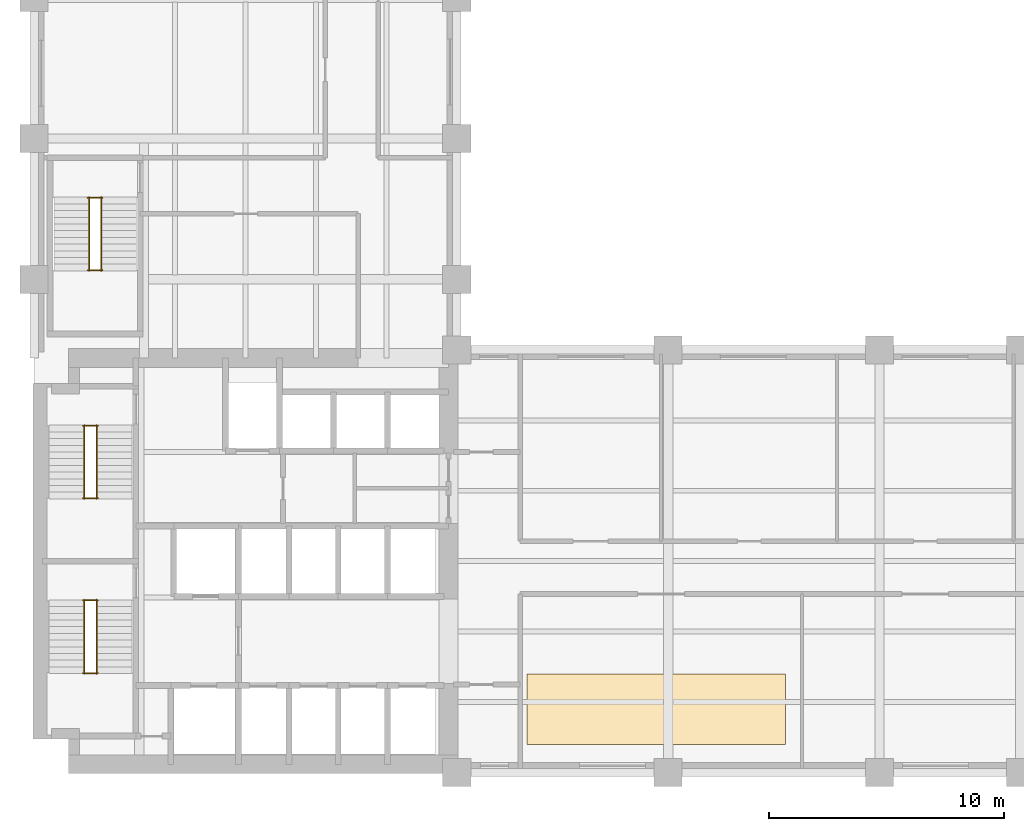
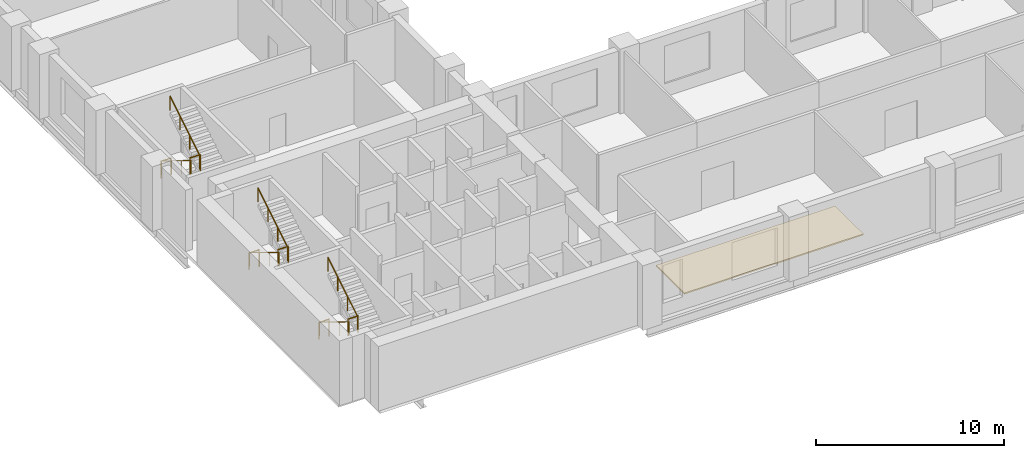
# One storey, part 7 of 7: 12 railings, 1 covering.
"""IFC4 building model written with IfcOpenShell, lengths in metres."""

from ifc_helpers import new_model, si_unit, direction, frame, origin, origin_2d, place, context, subcontext, project, spatial, polyline, circle, outline, extrude, material, layer, layer_set, type_object, element, save


model = new_model("IFC4")

# Units and contexts
model_context = context("Model", 3, precision=1e-05, world=origin(), true_north=direction((0.0, 1.0)))
body_context = subcontext(model_context, "Body", "Model", "MODEL_VIEW")
ifc_project = project(units=[si_unit("LENGTHUNIT", "METRE"), si_unit("AREAUNIT", "SQUARE_METRE"), si_unit("VOLUMEUNIT", "CUBIC_METRE"), si_unit("PLANEANGLEUNIT", "RADIAN"), si_unit("MASSUNIT", "GRAM", prefix="KILO")], contexts=[model_context])

# Site, building, storey
site_placement = place(None, origin())
site = spatial("IfcSite", under=ifc_project, at=site_placement, CompositionType="ELEMENT")
building_placement = place(site_placement, origin())
building = spatial("IfcBuilding", under=site, at=building_placement, Name="Mawjdan Bourse Tower", CompositionType="ELEMENT")
storey_placement = place(building_placement, frame((0.0, 0.0, 59.39990234375)))
storey = spatial("IfcBuildingStorey", under=building, at=storey_placement, Name="L13", CompositionType="ELEMENT", Elevation=59.39990234375)

# Covering
ifc_material_1 = material(Name="Calcium Sulphate Antistatic Raised Floor Tile")
ifc_layer = layer(ifc_material_1, 0.080078125)
ifc_layer_set = layer_set([ifc_layer], Name="Calcium Sulphate Antistatic Raised Floor Tile")
covering_type = type_object("IfcCoveringType", Name="COV-FLR-450", PredefinedType="FLOORING", material=ifc_layer_set)
covering_placement = place(storey_placement, origin())
element("IfcCovering", 1, at=covering_placement, inside=storey, type_object=covering_type, Name="L13 Antistatic Raised Access Trading Floor", PredefinedType="FLOORING", context=body_context, shape_type="SweptSolid", body=[
    extrude(outline(polyline([(27.0, 4.199951171875), (38.0, 4.199951171875), (38.0, 7.199951171875), (27.0, 7.199951171875), (27.0, 4.199951171875)])), origin(), (0.0, 0.0, 1.0), 0.080078125),
])

# Railings
ifc_material_2 = material(Name="Structural Steel S355", Category="steel")
railing_type_1 = type_object("IfcRailingType", Name="RLG-GRD-1100", PredefinedType="GUARDRAIL", material=ifc_material_2)
for number, where, name in (
    (2, (8.090087890625, 7.235107421875, 2.10009765625), "L13 ST1 Landing Guardrail GL-MID"),
    (3, (8.090087890625, 10.330078125, 0.0), "L13 ST1 Landing Guardrail GL-BOT"),
    (4, (8.090087890625, 14.675048828125, 2.10009765625), "L13 ST2 Landing Guardrail GL-MID"),
    (5, (8.090087890625, 17.77001953125, 0.0), "L13 ST2 Landing Guardrail GL-BOT"),
    (6, (8.2900390625, 24.385009765625, 2.10009765625), "L13 ST3 Landing Guardrail GL-MID"),
    (7, (8.2900390625, 27.47998046875, 0.0), "L13 ST3 Landing Guardrail GL-BOT"),
):
    element("IfcRailing", number, at=place(storey_placement, frame(where)), inside=storey, type_object=railing_type_1, Name=name, PredefinedType="GUARDRAIL", context=body_context, shape_type="SweptSolid", body=[
        extrude(circle(Radius=0.02490234375, at=origin_2d()), frame((0.0, 0.0, 1.0751953125), z_axis=(1.0, 0.0, 0.0), x_axis=(0.0, 1.0, 0.0)), (0.0, 0.0, 1.0), 0.619873046875),
        extrude(circle(Radius=0.02099609375, at=origin_2d()), origin(), (0.0, 0.0, 1.0), 1.050048828125),
        extrude(circle(Radius=0.02099609375, at=origin_2d()), frame((0.619873046875, 0.0, 0.0)), (0.0, 0.0, 1.0), 1.050048828125),
    ])
ifc_material_3 = material(Name="Brushed Stainless Steel", Category="steel")
railing_type_2 = type_object("IfcRailingType", Name="RLG-HND-920", PredefinedType="HANDRAIL", material=ifc_material_3)
railing_1_placement = place(storey_placement, frame((8.139892578125, 10.35009765625, 0.175048828125)))
element("IfcRailing", 8, at=railing_1_placement, inside=storey, type_object=railing_type_2, Name="L13 ST1 Flight Handrail HR1", PredefinedType="HANDRAIL", context=body_context, shape_type="SweptSolid", body=[
    extrude(circle(Radius=0.0224609375, at=origin_2d()), frame((0.0, 0.0, 0.8974609375), z_axis=(0.0, -0.852166034122, 0.523271488128), x_axis=(1.0, 0.0, 0.0)), (0.0, 0.0, 1.0), 3.678955078125),
    extrude(circle(Radius=0.01904296875, at=origin_2d()), origin(), (0.0, 0.0, 1.0), 0.875),
    extrude(circle(Radius=0.01904296875, at=origin_2d()), frame((0.0, -1.044921875, 0.6416015625)), (0.0, 0.0, 1.0), 0.875),
    extrude(circle(Radius=0.01904296875, at=origin_2d()), frame((0.0, -2.090087890625, 1.283447265625)), (0.0, 0.0, 1.0), 0.875),
    extrude(circle(Radius=0.01904296875, at=origin_2d()), frame((0.0, -3.135009765625, 1.925048828125)), (0.0, 0.0, 1.0), 0.875),
])
railing_2_placement = place(storey_placement, frame((8.659912109375, 7.215087890625, 2.275146484375)))
element("IfcRailing", 9, at=railing_2_placement, inside=storey, type_object=railing_type_2, Name="L13 ST1 Flight Handrail HR2", PredefinedType="HANDRAIL", context=body_context, shape_type="SweptSolid", body=[
    extrude(circle(Radius=0.0224609375, at=origin_2d()), frame((0.0, 0.0, 0.8974609375), z_axis=(0.0, 0.852166034122, 0.523271488128), x_axis=(-1.0, 0.0, 0.0)), (0.0, 0.0, 1.0), 3.678955078125),
    extrude(circle(Radius=0.01904296875, at=origin_2d()), origin(), (0.0, 0.0, 1.0), 0.875),
    extrude(circle(Radius=0.01904296875, at=origin_2d()), frame((0.0, 1.044921875, 0.6416015625)), (0.0, 0.0, 1.0), 0.875),
    extrude(circle(Radius=0.01904296875, at=origin_2d()), frame((0.0, 2.090087890625, 1.283447265625)), (0.0, 0.0, 1.0), 0.875),
    extrude(circle(Radius=0.01904296875, at=origin_2d()), frame((0.0, 3.135009765625, 1.925048828125)), (0.0, 0.0, 1.0), 0.875),
])
railing_3_placement = place(storey_placement, frame((8.139892578125, 17.7900390625, 0.175048828125)))
element("IfcRailing", 10, at=railing_3_placement, inside=storey, type_object=railing_type_2, Name="L13 ST2 Flight Handrail HR1", PredefinedType="HANDRAIL", context=body_context, shape_type="SweptSolid", body=[
    extrude(circle(Radius=0.0224609375, at=origin_2d()), frame((0.0, 0.0, 0.8974609375), z_axis=(0.0, -0.852166034122, 0.523271488128), x_axis=(1.0, 0.0, 0.0)), (0.0, 0.0, 1.0), 3.678955078125),
    extrude(circle(Radius=0.01904296875, at=origin_2d()), origin(), (0.0, 0.0, 1.0), 0.875),
    extrude(circle(Radius=0.01904296875, at=origin_2d()), frame((0.0, -1.044921875, 0.6416015625)), (0.0, 0.0, 1.0), 0.875),
    extrude(circle(Radius=0.01904296875, at=origin_2d()), frame((0.0, -2.090087890625, 1.283447265625)), (0.0, 0.0, 1.0), 0.875),
    extrude(circle(Radius=0.01904296875, at=origin_2d()), frame((0.0, -3.135009765625, 1.925048828125)), (0.0, 0.0, 1.0), 0.875),
])
railing_4_placement = place(storey_placement, frame((8.659912109375, 14.655029296875, 2.275146484375)))
element("IfcRailing", 11, at=railing_4_placement, inside=storey, type_object=railing_type_2, Name="L13 ST2 Flight Handrail HR2", PredefinedType="HANDRAIL", context=body_context, shape_type="SweptSolid", body=[
    extrude(circle(Radius=0.0224609375, at=origin_2d()), frame((0.0, 0.0, 0.8974609375), z_axis=(0.0, 0.852166034122, 0.523271488128), x_axis=(-1.0, 0.0, 0.0)), (0.0, 0.0, 1.0), 3.678955078125),
    extrude(circle(Radius=0.01904296875, at=origin_2d()), origin(), (0.0, 0.0, 1.0), 0.875),
    extrude(circle(Radius=0.01904296875, at=origin_2d()), frame((0.0, 1.044921875, 0.6416015625)), (0.0, 0.0, 1.0), 0.875),
    extrude(circle(Radius=0.01904296875, at=origin_2d()), frame((0.0, 2.090087890625, 1.283447265625)), (0.0, 0.0, 1.0), 0.875),
    extrude(circle(Radius=0.01904296875, at=origin_2d()), frame((0.0, 3.135009765625, 1.925048828125)), (0.0, 0.0, 1.0), 0.875),
])
railing_5_placement = place(storey_placement, frame((8.340087890625, 27.5, 0.175048828125)))
element("IfcRailing", 12, at=railing_5_placement, inside=storey, type_object=railing_type_2, Name="L13 ST3 Flight Handrail HR1", PredefinedType="HANDRAIL", context=body_context, shape_type="SweptSolid", body=[
    extrude(circle(Radius=0.0224609375, at=origin_2d()), frame((0.0, 0.0, 0.8974609375), z_axis=(0.0, -0.852166034122, 0.523271488128), x_axis=(1.0, 0.0, 0.0)), (0.0, 0.0, 1.0), 3.678955078125),
    extrude(circle(Radius=0.01904296875, at=origin_2d()), origin(), (0.0, 0.0, 1.0), 0.875),
    extrude(circle(Radius=0.01904296875, at=origin_2d()), frame((0.0, -1.044921875, 0.6416015625)), (0.0, 0.0, 1.0), 0.875),
    extrude(circle(Radius=0.01904296875, at=origin_2d()), frame((0.0, -2.090087890625, 1.283447265625)), (0.0, 0.0, 1.0), 0.875),
    extrude(circle(Radius=0.01904296875, at=origin_2d()), frame((0.0, -3.135009765625, 1.925048828125)), (0.0, 0.0, 1.0), 0.875),
])
railing_6_placement = place(storey_placement, frame((8.860107421875, 24.364990234375, 2.275146484375)))
element("IfcRailing", 13, at=railing_6_placement, inside=storey, type_object=railing_type_2, Name="L13 ST3 Flight Handrail HR2", PredefinedType="HANDRAIL", context=body_context, shape_type="SweptSolid", body=[
    extrude(circle(Radius=0.0224609375, at=origin_2d()), frame((0.0, 0.0, 0.8974609375), z_axis=(0.0, 0.852166034122, 0.523271488128), x_axis=(-1.0, 0.0, 0.0)), (0.0, 0.0, 1.0), 3.678955078125),
    extrude(circle(Radius=0.01904296875, at=origin_2d()), origin(), (0.0, 0.0, 1.0), 0.875),
    extrude(circle(Radius=0.01904296875, at=origin_2d()), frame((0.0, 1.044921875, 0.6416015625)), (0.0, 0.0, 1.0), 0.875),
    extrude(circle(Radius=0.01904296875, at=origin_2d()), frame((0.0, 2.090087890625, 1.283447265625)), (0.0, 0.0, 1.0), 0.875),
    extrude(circle(Radius=0.01904296875, at=origin_2d()), frame((0.0, 3.135009765625, 1.925048828125)), (0.0, 0.0, 1.0), 0.875),
])

save(model, "model.ifc")
